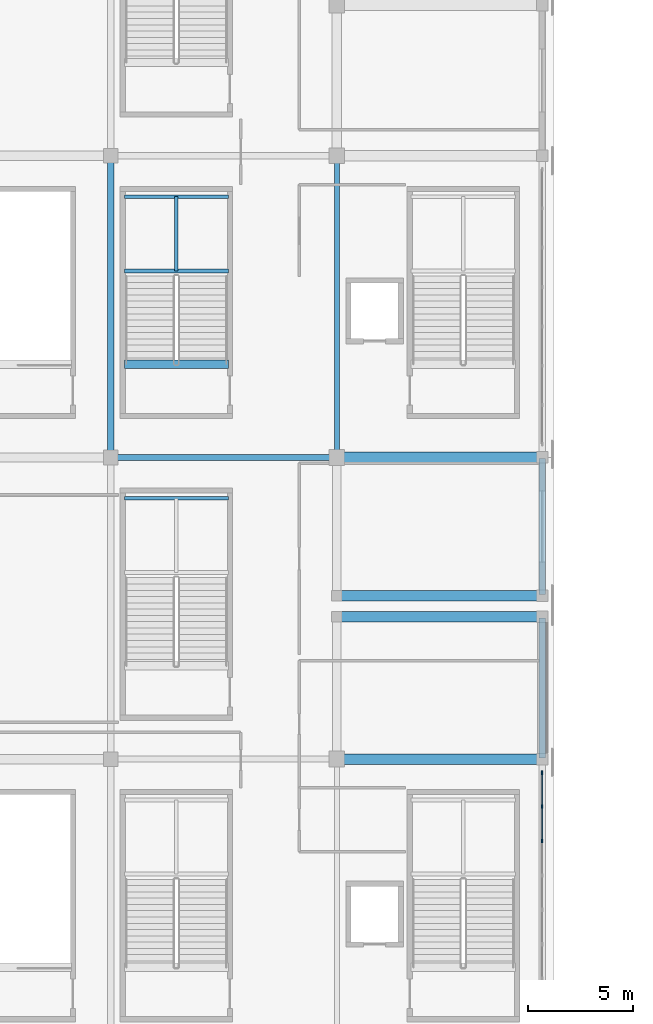
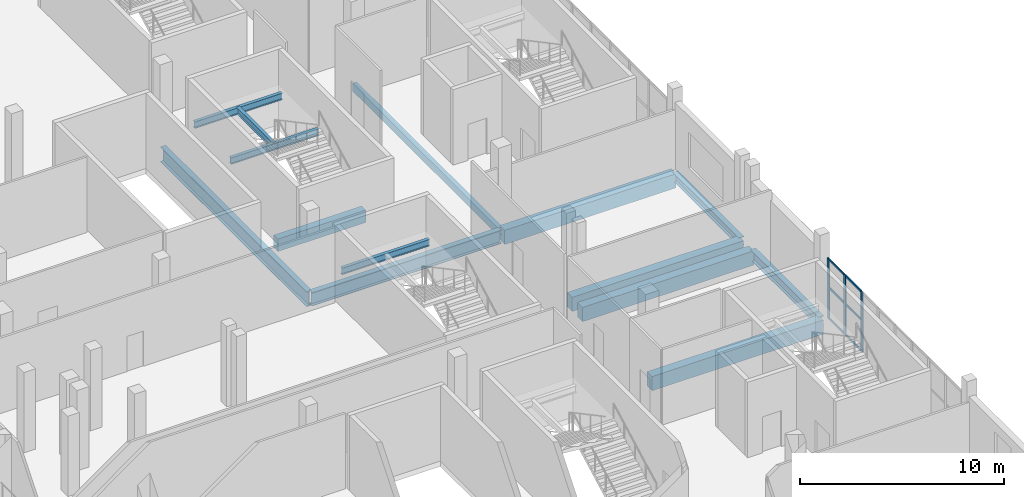
# One storey, part 42 of 129: 14 beams, 9 members, 1 element without a shape of its own.
"""IFC4 building model written with IfcOpenShell, lengths in metres."""

import ifcopenshell
import ifcopenshell.guid

model = None  # the IFC model being written
_history = None  # IfcOwnerHistory: only IFC2X3 demands one
_inside = {}  # id of a spatial element -> (the spatial element, [elements in it])
_under = {}  # id of a project, library or spatial element -> (it, [spatial elements below it])
_declared = {}  # id of a project -> (the project, [libraries it declares])
_typed = {}  # id of a type object -> (the type object, [elements of that type])
_made_of = {}  # id of a material, layer set ... -> (it, [elements and type objects made of it])


def new_model(schema):
    """Start an empty IFC model of exactly this schema.

    Asked for "IFC4X3", IfcOpenShell would pick the latest addendum, in which some entities
    have other attributes; the version numbers below select the first issue.
    IFC2X3 requires an IfcOwnerHistory on every rooted entity: one is made here for all.
    """
    global model, _history
    if schema == "IFC4X3":
        model = ifcopenshell.file(schema_version=(4, 3, 0, 0))
    else:
        model = ifcopenshell.file(schema=schema)
    _inside.clear()
    _under.clear()
    _declared.clear()
    _typed.clear()
    _made_of.clear()
    _history = None
    if model.schema == "IFC2X3":
        org = make("IfcOrganization", Name="unknown")
        user = make(
            "IfcPersonAndOrganization",
            ThePerson=make("IfcPerson", FamilyName="unknown"),
            TheOrganization=org,
        )
        app = make(
            "IfcApplication",
            ApplicationDeveloper=org,
            Version="unknown",
            ApplicationFullName="unknown",
            ApplicationIdentifier="unknown",
        )
        _history = make(
            "IfcOwnerHistory",
            OwningUser=user,
            OwningApplication=app,
            ChangeAction="ADDED",
            CreationDate=0,
        )
    return model


def make(cls, **values):
    """One entity of the class cls with the attributes given. An attribute that is None is left unset."""
    return model.create_entity(
        cls, **{name: value for name, value in values.items() if value is not None}
    )


def rooted(cls, **values):
    """An entity with a GlobalId (a new one), such as an element, a storey or a relation."""
    return make(cls, GlobalId=ifcopenshell.guid.new(), OwnerHistory=_history, **values)


def si_unit(unit_type, name, prefix=None):
    """IfcSIUnit, for example si_unit("LENGTHUNIT", "METRE", prefix="MILLI")."""
    return make("IfcSIUnit", UnitType=unit_type, Prefix=prefix, Name=name)


def assignment(units):
    """IfcUnitAssignment: the units of a project."""
    return None if units is None else make("IfcUnitAssignment", Units=units)


def point(xyz):
    """IfcCartesianPoint."""
    return None if xyz is None else make("IfcCartesianPoint", Coordinates=xyz)


def direction(xyz):
    """IfcDirection."""
    return None if xyz is None else make("IfcDirection", DirectionRatios=xyz)


def frame(location, z_axis=None, x_axis=None):
    """IfcAxis2Placement3D, a coordinate frame: its origin and axes. An axis left out is left unset."""
    return make(
        "IfcAxis2Placement3D",
        Location=point(location),
        Axis=direction(z_axis),
        RefDirection=direction(x_axis),
    )


def frame_2d(location, x_axis=None):
    """IfcAxis2Placement2D, a coordinate frame in the plane: its origin and x axis."""
    return make(
        "IfcAxis2Placement2D", Location=point(location), RefDirection=direction(x_axis)
    )


def origin():
    """The frame at (0, 0, 0) with its axes left unset."""
    return frame((0.0, 0.0, 0.0))


def origin_2d():
    """The frame at (0, 0) in the plane with its x axis left unset."""
    return frame_2d((0.0, 0.0))


def place(relative_to, where):
    """IfcLocalPlacement: puts the frame where relative to a parent placement (None: the world)."""
    return make(
        "IfcLocalPlacement", PlacementRelTo=relative_to, RelativePlacement=where
    )


def context(
    kind, dimensions, precision=None, world=None, true_north=None, identifier=None
):
    """IfcGeometricRepresentationContext, for example the 3D "Model" context."""
    return make(
        "IfcGeometricRepresentationContext",
        ContextIdentifier=identifier,
        ContextType=kind,
        CoordinateSpaceDimension=dimensions,
        Precision=precision,
        WorldCoordinateSystem=world,
        TrueNorth=true_north,
    )


def subcontext(parent, identifier, kind, view, scale=None):
    """IfcGeometricRepresentationSubContext, for example "Body" below "Model"."""
    return make(
        "IfcGeometricRepresentationSubContext",
        ContextIdentifier=identifier,
        ContextType=kind,
        ParentContext=parent,
        TargetScale=scale,
        TargetView=view,
    )


def project(units=None, contexts=None):
    """IfcProject with its units and contexts."""
    return rooted(
        "IfcProject",
        Name="project",
        RepresentationContexts=contexts,
        UnitsInContext=assignment(units),
    )


def spatial(cls, under=None, at=None, **own):
    """A site, building, storey or space (cls), placed at a placement, below another one or the project."""
    s = rooted(cls, ObjectPlacement=at, **own)
    if under is not None:
        _under.setdefault(under.id(), (under, []))[1].append(s)
    return s


def profile(cls, at=None, kind="AREA", **sizes):
    """A parametric profile (cls). Its sizes go by their IFC names, for example OverallWidth=200.0."""
    return make(cls, ProfileType=kind, Position=at, **sizes)


def rectangle(**sizes):
    """IfcRectangleProfileDef."""
    return profile("IfcRectangleProfileDef", **sizes)


def hollow_rectangle(**sizes):
    """IfcRectangleHollowProfileDef."""
    return profile("IfcRectangleHollowProfileDef", **sizes)


def i_section(**sizes):
    """IfcIShapeProfileDef."""
    return profile("IfcIShapeProfileDef", **sizes)


def extrude(swept, where, along, depth):
    """IfcExtrudedAreaSolid: the profile swept, set in the frame where, extruded along a direction by depth."""
    return make(
        "IfcExtrudedAreaSolid",
        SweptArea=swept,
        Position=where,
        ExtrudedDirection=direction(along),
        Depth=depth,
    )


def shape(context_of_items, identifier, shape_type, items):
    """IfcShapeRepresentation: the items that make up one representation, for example the "Body"."""
    return make(
        "IfcShapeRepresentation",
        ContextOfItems=context_of_items,
        RepresentationIdentifier=identifier,
        RepresentationType=shape_type,
        Items=items,
    )


def material(Name=None, Category=None):
    """IfcMaterial."""
    return make("IfcMaterial", Name=Name, Category=Category)


def material_profile(
    of_material, cross_section, Name=None, Category=None, Priority=None
):
    """IfcMaterialProfile: a cross section and its material."""
    return make(
        "IfcMaterialProfile",
        Name=Name,
        Material=of_material,
        Profile=cross_section,
        Priority=Priority,
        Category=Category,
    )


def profile_set(profiles, Name=None, composite=None):
    """IfcMaterialProfileSet."""
    return make(
        "IfcMaterialProfileSet",
        Name=Name,
        MaterialProfiles=profiles,
        CompositeProfile=composite,
    )


def made_of(thing, what):
    """Note that an element or type object is made of a material, layer set ...; save() writes the relation."""
    if what is not None:
        _made_of.setdefault(what.id(), (what, []))[1].append(thing)
    return thing


def type_object(cls, material=None, **own):
    """A type object (cls), such as IfcWallType, which elements share."""
    return made_of(rooted(cls, **own), material)


def element(
    cls,
    number,
    at=None,
    inside=None,
    cuts=None,
    type_object=None,
    material=None,
    context=None,
    identifier="Body",
    shape_type=None,
    held_by="IfcProductDefinitionShape",
    body=None,
    shapes=None,
    **own,
):
    """One element of the class cls, such as IfcWall. Its Tag is "e" and its number.

    at: its placement. inside: the storey or other place that contains it. cuts: it is an
    opening in that element (IfcRelVoidsElement). A single representation is given by context,
    identifier, shape_type and body (its items); several are given by shapes. held_by: the class
    of the entity that holds the representations. save() writes the other relations.
    """
    e = rooted(cls, Tag="e%d" % number, ObjectPlacement=at, **own)
    if body is not None:
        shapes = [shape(context, identifier, shape_type, body)]
    if shapes is not None:
        e.Representation = make(held_by, Representations=shapes)
    if inside is not None:
        _inside.setdefault(inside.id(), (inside, []))[1].append(e)
    if cuts is not None:
        rooted(
            "IfcRelVoidsElement", RelatingBuildingElement=cuts, RelatedOpeningElement=e
        )
    if type_object is not None:
        _typed.setdefault(type_object.id(), (type_object, []))[1].append(e)
    return made_of(e, material)


def aggregate(whole, parts):
    """IfcRelAggregates: a whole, such as a stair, and the parts it consists of."""
    return rooted("IfcRelAggregates", RelatingObject=whole, RelatedObjects=parts)


def save(model, path):
    """Write the relations noted so far, then the file.

    IfcRelAggregates (storeys below a building ...), IfcRelContainedInSpatialStructure (elements
    in a storey), IfcRelDefinesByType, IfcRelAssociatesMaterial and IfcRelDeclares: one each for
    every whole, place, type object, material and project.
    """
    for whole, parts in _under.values():
        aggregate(whole, parts)
    for where, things in _inside.values():
        rooted(
            "IfcRelContainedInSpatialStructure",
            RelatedElements=things,
            RelatingStructure=where,
        )
    for kind, things in _typed.values():
        rooted("IfcRelDefinesByType", RelatedObjects=things, RelatingType=kind)
    for what, things in _made_of.values():
        rooted("IfcRelAssociatesMaterial", RelatedObjects=things, RelatingMaterial=what)
    for by, libraries in _declared.values():
        rooted("IfcRelDeclares", RelatingContext=by, RelatedDefinitions=libraries)
    model.write(path)


model = new_model("IFC4")

# Units and contexts
model_context = context("Model", 3, precision=1e-05, world=origin(), true_north=direction((0.0, 1.0)))
body_context = subcontext(model_context, "Body", "Model", "MODEL_VIEW")
ifc_project = project(units=[si_unit("LENGTHUNIT", "METRE"), si_unit("AREAUNIT", "SQUARE_METRE"), si_unit("VOLUMEUNIT", "CUBIC_METRE"), si_unit("PLANEANGLEUNIT", "RADIAN"), si_unit("MASSUNIT", "GRAM", prefix="KILO")], contexts=[model_context])

# Site, building, storey
site_placement = place(None, origin())
site = spatial("IfcSite", under=ifc_project, at=site_placement, CompositionType="ELEMENT")
building_placement = place(site_placement, origin())
building = spatial("IfcBuilding", under=site, at=building_placement, Name="Koshinbarg Plaza Stadium", CompositionType="ELEMENT")
storey_placement = place(building_placement, frame((0.0, 0.0, 5.39990234375)))
storey = spatial("IfcBuildingStorey", under=building, at=storey_placement, Name="L01", CompositionType="ELEMENT", Elevation=5.39990234375)

# Beams
ifc_material_1 = material(Name="Concrete C40/50", Category="concrete")
ifc_material_profile_1 = material_profile(ifc_material_1, rectangle(XDim=0.39990234375, YDim=0.75, at=origin_2d()), Name="RC 400x750")
ifc_profile_set_1 = profile_set([ifc_material_profile_1], Name="Concrete C40/50")
beam_type_1 = type_object("IfcBeamType", Name="BM-RCG-03", PredefinedType="USERDEFINED", material=ifc_profile_set_1)
beam_1_placement = place(storey_placement, frame((198.449951171875, 87.56005859375, -0.375), z_axis=(1.0, 0.0, 0.0), x_axis=(0.0, 1.0, 0.0)))
element("IfcBeam", 1, at=beam_1_placement, inside=storey, type_object=beam_type_1, Name="L01 stair landing header beam VX11", ObjectType="GIRDER", PredefinedType="USERDEFINED", context=body_context, shape_type="SweptSolid", body=[
    extrude(rectangle(XDim=0.39990234375, YDim=0.75, at=origin_2d()), origin(), (0.0, 0.0, 1.0), 4.969970703125),
])
ifc_material_profile_2 = material_profile(ifc_material_1, rectangle(XDim=0.5, YDim=0.85009765625, at=origin_2d()), Name="RC 500x850")
ifc_profile_set_2 = profile_set([ifc_material_profile_2], Name="Concrete C40/50")
beam_type_2 = type_object("IfcBeamType", Name="BM-RCG-05", PredefinedType="USERDEFINED", material=ifc_profile_set_2)
for number, where, z_axis, x_axis, name in (
    (2, (208.659912109375, 68.699951171875, -0.744873046875), (1.0, 0.0, 0.0), (0.0, 1.0, 0.0), "L01 X girder J/20-21"),
    (3, (208.659912109375, 75.5, -0.744873046875), (1.0, 0.0, 0.0), (0.0, 1.0, 0.0), "L01 X girder K/20-21"),
    (4, (208.659912109375, 76.5, -0.744873046875), (1.0, 0.0, 0.0), (0.0, 1.0, 0.0), "L01 X girder L/20-21"),
    (5, (208.659912109375, 83.10009765625, -0.744873046875), (1.0, 0.0, 0.0), (0.0, 1.0, 0.0), "L01 X girder M/20-21"),
):
    element("IfcBeam", number, at=place(storey_placement, frame(where, z_axis=z_axis, x_axis=x_axis)), inside=storey, type_object=beam_type_2, Name=name, ObjectType="GIRDER", PredefinedType="USERDEFINED", context=body_context, shape_type="SweptSolid", body=[
        extrude(rectangle(XDim=0.5, YDim=0.85009765625, at=origin_2d()), origin(), (0.0, 0.0, 1.0), 9.68017578125),
    ])
ifc_material_2 = material(Name="Steel S355", Category="steel")
ifc_material_profile_3 = material_profile(ifc_material_2, i_section(OverallWidth=0.179931640625, OverallDepth=0.39990234375, WebThickness=0.008544921875, FlangeThickness=0.013427734375, at=origin_2d()), Name="IPE 400")
ifc_profile_set_3 = profile_set([ifc_material_profile_3], Name="Steel S355")
beam_type_3 = type_object("IfcBeamType", Name="BM-SBM-01", PredefinedType="BEAM", material=ifc_profile_set_3)
for number, where, z_axis, x_axis, name in (
    (6, (198.449951171875, 81.14990234375, 1.880126953125), (1.0, 0.0, 0.0), (0.0, 1.0, 0.0), "L01 Upper Vomitory Stair VX10 landing trimmer beam 2"),
    (7, (198.449951171875, 92.010009765625, 1.880126953125), (1.0, 0.0, 0.0), (0.0, 1.0, 0.0), "L01 Upper Vomitory Stair VX11 landing trimmer beam 1"),
    (8, (198.449951171875, 95.550048828125, 1.880126953125), (1.0, 0.0, 0.0), (0.0, 1.0, 0.0), "L01 Upper Vomitory Stair VX11 landing trimmer beam 2"),
):
    element("IfcBeam", number, at=place(storey_placement, frame(where, z_axis=z_axis, x_axis=x_axis)), inside=storey, type_object=beam_type_3, Name=name, PredefinedType="BEAM", context=body_context, shape_type="SweptSolid", body=[
        extrude(i_section(OverallWidth=0.179931640625, OverallDepth=0.39990234375, WebThickness=0.008544921875, FlangeThickness=0.013427734375, at=origin_2d()), origin(), (0.0, 0.0, 1.0), 4.969970703125),
    ])
beam_2_placement = place(storey_placement, frame((200.93505859375, 92.010009765625, 1.880126953125), z_axis=(0.0, 1.0, 0.0), x_axis=(-1.0, 0.0, 0.0)))
element("IfcBeam", 9, at=beam_2_placement, inside=storey, type_object=beam_type_3, Name="L01 Upper Vomitory Stair VX11 landing trimmer beam 3", PredefinedType="BEAM", context=body_context, shape_type="SweptSolid", body=[
    extrude(i_section(OverallWidth=0.179931640625, OverallDepth=0.39990234375, WebThickness=0.008544921875, FlangeThickness=0.013427734375, at=origin_2d()), origin(), (0.0, 0.0, 1.0), 3.5400390625),
])
ifc_material_profile_4 = material_profile(ifc_material_2, i_section(OverallWidth=0.300048828125, OverallDepth=0.5, WebThickness=0.014404296875, FlangeThickness=0.028076171875, at=origin_2d()), Name="HEB 500")
ifc_profile_set_4 = profile_set([ifc_material_profile_4], Name="Steel S355")
beam_type_4 = type_object("IfcBeamType", Name="BM-SGIR-01", PredefinedType="USERDEFINED", material=ifc_profile_set_4)
beam_3_placement = place(storey_placement, frame((218.39990234375, 76.56005859375, -0.56982421875), z_axis=(0.0, 1.0, 0.0), x_axis=(-1.0, 0.0, 0.0)))
element("IfcBeam", 10, at=beam_3_placement, inside=storey, type_object=beam_type_4, Name="L01 Y girder 21/L-M", ObjectType="GIRDER", PredefinedType="USERDEFINED", context=body_context, shape_type="SweptSolid", body=[
    extrude(i_section(OverallWidth=0.300048828125, OverallDepth=0.5, WebThickness=0.014404296875, FlangeThickness=0.028076171875, at=origin_2d()), origin(), (0.0, 0.0, 1.0), 6.47998046875),
])
ifc_material_profile_5 = material_profile(ifc_material_2, i_section(OverallWidth=0.300048828125, OverallDepth=0.60009765625, WebThickness=0.015380859375, FlangeThickness=0.030029296875, at=origin_2d()), Name="HEB 600")
ifc_profile_set_5 = profile_set([ifc_material_profile_5], Name="Steel S355")
beam_type_5 = type_object("IfcBeamType", Name="BM-SGIR-02", PredefinedType="USERDEFINED", material=ifc_profile_set_5)
beam_4_placement = place(storey_placement, frame((218.39990234375, 68.760009765625, -0.619873046875), z_axis=(0.0, 1.0, 0.0), x_axis=(-1.0, 0.0, 0.0)))
element("IfcBeam", 11, at=beam_4_placement, inside=storey, type_object=beam_type_5, Name="L01 Y girder 21/J-K", ObjectType="GIRDER", PredefinedType="USERDEFINED", context=body_context, shape_type="SweptSolid", body=[
    extrude(i_section(OverallWidth=0.300048828125, OverallDepth=0.60009765625, WebThickness=0.015380859375, FlangeThickness=0.030029296875, at=origin_2d()), origin(), (0.0, 0.0, 1.0), 6.679931640625),
])
ifc_material_profile_6 = material_profile(ifc_material_2, i_section(OverallWidth=0.300048828125, OverallDepth=0.800048828125, WebThickness=0.017578125, FlangeThickness=0.032958984375, at=origin_2d()), Name="HEB 800")
ifc_profile_set_6 = profile_set([ifc_material_profile_6], Name="Steel S355")
beam_type_6 = type_object("IfcBeamType", Name="BM-SGIR-04", PredefinedType="USERDEFINED", material=ifc_profile_set_6)
beam_5_placement = place(storey_placement, frame((197.860107421875, 83.10009765625, -0.719970703125), z_axis=(1.0, 0.0, 0.0), x_axis=(0.0, 1.0, 0.0)))
element("IfcBeam", 12, at=beam_5_placement, inside=storey, type_object=beam_type_6, Name="L01 X girder M/19-20", ObjectType="GIRDER", PredefinedType="USERDEFINED", context=body_context, shape_type="SweptSolid", body=[
    extrude(i_section(OverallWidth=0.300048828125, OverallDepth=0.800048828125, WebThickness=0.017578125, FlangeThickness=0.032958984375, at=origin_2d()), origin(), (0.0, 0.0, 1.0), 10.679931640625),
])
ifc_material_profile_7 = material_profile(ifc_material_2, i_section(OverallWidth=0.300048828125, OverallDepth=0.89990234375, WebThickness=0.0185546875, FlangeThickness=0.034912109375, at=origin_2d()), Name="HEB 900")
ifc_profile_set_7 = profile_set([ifc_material_profile_7], Name="Steel S355")
beam_type_7 = type_object("IfcBeamType", Name="BM-SGIR-05", PredefinedType="USERDEFINED", material=ifc_profile_set_7)
beam_6_placement = place(storey_placement, frame((197.800048828125, 83.159912109375, -0.77001953125), z_axis=(0.0, 1.0, 0.0), x_axis=(-1.0, 0.0, 0.0)))
element("IfcBeam", 13, at=beam_6_placement, inside=storey, type_object=beam_type_7, Name="L01 Y girder 19/M-N", ObjectType="GIRDER", PredefinedType="USERDEFINED", context=body_context, shape_type="SweptSolid", body=[
    extrude(i_section(OverallWidth=0.300048828125, OverallDepth=0.89990234375, WebThickness=0.0185546875, FlangeThickness=0.034912109375, at=origin_2d()), origin(), (0.0, 0.0, 1.0), 14.280029296875),
])
ifc_material_profile_8 = material_profile(ifc_material_2, hollow_rectangle(XDim=0.25, YDim=0.449951171875, WallThickness=0.01611328125, at=origin_2d()), Name="RHS 450x250x16")
ifc_profile_set_8 = profile_set([ifc_material_profile_8], Name="Steel S355")
beam_type_8 = type_object("IfcBeamType", Name="BM-SGIR-06", PredefinedType="USERDEFINED", material=ifc_profile_set_8)
beam_7_placement = place(storey_placement, frame((208.60009765625, 83.159912109375, -0.544921875), z_axis=(0.0, 1.0, 0.0), x_axis=(-1.0, 0.0, 0.0)))
element("IfcBeam", 14, at=beam_7_placement, inside=storey, type_object=beam_type_8, Name="L01 Y girder 20/M-N", ObjectType="GIRDER", PredefinedType="USERDEFINED", context=body_context, shape_type="SweptSolid", body=[
    extrude(hollow_rectangle(XDim=0.25, YDim=0.449951171875, WallThickness=0.01611328125, at=origin_2d()), origin(), (0.0, 0.0, 1.0), 14.280029296875),
])

# Curtain wall, members
ifc_material_3 = material(Name="Thermally broken anodised aluminium and low-E double glazing", Category="aluminium")
curtain_wall_type = type_object("IfcCurtainWallType", Name="CW-SYS-07", PredefinedType="NOTDEFINED", material=ifc_material_3)
curtain_wall_placement = place(storey_placement, origin())
curtain_wall = element("IfcCurtainWall", 15, at=curtain_wall_placement, inside=storey, type_object=curtain_wall_type, Name="L01 unitised curtain wall CW-L01-022", PredefinedType="NOTDEFINED")
ifc_material_4 = material(Name="Anodised aluminium mullion", Category="aluminium")
ifc_material_profile_9 = material_profile(ifc_material_4, rectangle(XDim=0.070068359375, YDim=0.179931640625, at=origin_2d()), Name="ALU 70x180")
ifc_profile_set_9 = profile_set([ifc_material_profile_9], Name="Anodised aluminium mullion")
member_type_1 = type_object("IfcMemberType", Name="CW-MUL-03", PredefinedType="MULLION", material=ifc_profile_set_9)
member_1_placement = place(storey_placement, frame((218.39990234375, 68.050048828125, 0.0), z_axis=(0.0, 0.0, 1.0), x_axis=(1.0, 0.0, 0.0)))
member_1 = element("IfcMember", 16, at=member_1_placement, type_object=member_type_1, Name="CW07 mullion 1", PredefinedType="MULLION", context=body_context, shape_type="SweptSolid", body=[
    extrude(rectangle(XDim=0.070068359375, YDim=0.179931640625, at=origin_2d()), origin(), (0.0, 0.0, 1.0), 3.580078125),
])
member_2_placement = place(storey_placement, frame((218.39990234375, 66.43505859375, 0.0), z_axis=(0.0, 0.0, 1.0), x_axis=(1.0, 0.0, 0.0)))
member_2 = element("IfcMember", 17, at=member_2_placement, type_object=member_type_1, Name="CW07 mullion 2", PredefinedType="MULLION", context=body_context, shape_type="SweptSolid", body=[
    extrude(rectangle(XDim=0.070068359375, YDim=0.179931640625, at=origin_2d()), origin(), (0.0, 0.0, 1.0), 3.580078125),
])
member_3_placement = place(storey_placement, frame((218.39990234375, 64.7900390625, 0.0), z_axis=(0.0, 0.0, 1.0), x_axis=(1.0, 0.0, 0.0)))
member_3 = element("IfcMember", 18, at=member_3_placement, type_object=member_type_1, Name="CW07 mullion 3", PredefinedType="MULLION", context=body_context, shape_type="SweptSolid", body=[
    extrude(rectangle(XDim=0.070068359375, YDim=0.179931640625, at=origin_2d()), origin(), (0.0, 0.0, 1.0), 3.580078125),
])
ifc_material_5 = material(Name="Anodised aluminium transom", Category="aluminium")
ifc_material_profile_10 = material_profile(ifc_material_5, rectangle(XDim=0.06005859375, YDim=0.110107421875, at=origin_2d()), Name="ALU 60x110")
ifc_profile_set_10 = profile_set([ifc_material_profile_10], Name="Anodised aluminium transom")
member_type_2 = type_object("IfcMemberType", Name="CW-TRN-01", PredefinedType="USERDEFINED", material=ifc_profile_set_10)
member_4_placement = place(storey_placement, frame((218.39990234375, 68.02001953125, 0.030029296875), z_axis=(0.0, -1.0, 0.0), x_axis=(1.0, 0.0, 0.0)))
member_4 = element("IfcMember", 19, at=member_4_placement, type_object=member_type_2, Name="CW07 transom 1.1", ObjectType="TRANSOM", PredefinedType="USERDEFINED", context=body_context, shape_type="SweptSolid", body=[
    extrude(rectangle(XDim=0.06005859375, YDim=0.110107421875, at=origin_2d()), origin(), (0.0, 0.0, 1.0), 1.554931640625),
])
member_5_placement = place(storey_placement, frame((218.39990234375, 68.02001953125, 1.86181640625), z_axis=(0.0, -1.0, 0.0), x_axis=(1.0, 0.0, 0.0)))
member_5 = element("IfcMember", 20, at=member_5_placement, type_object=member_type_2, Name="CW07 transom 1.2", ObjectType="TRANSOM", PredefinedType="USERDEFINED", context=body_context, shape_type="SweptSolid", body=[
    extrude(rectangle(XDim=0.06005859375, YDim=0.110107421875, at=origin_2d()), origin(), (0.0, 0.0, 1.0), 1.554931640625),
])
member_6_placement = place(storey_placement, frame((218.39990234375, 68.02001953125, 3.550048828125), z_axis=(0.0, -1.0, 0.0), x_axis=(1.0, 0.0, 0.0)))
member_6 = element("IfcMember", 21, at=member_6_placement, type_object=member_type_2, Name="CW07 transom 1.3", ObjectType="TRANSOM", PredefinedType="USERDEFINED", context=body_context, shape_type="SweptSolid", body=[
    extrude(rectangle(XDim=0.06005859375, YDim=0.110107421875, at=origin_2d()), origin(), (0.0, 0.0, 1.0), 1.554931640625),
])
member_7_placement = place(storey_placement, frame((218.39990234375, 66.405029296875, 0.030029296875), z_axis=(0.0, -1.0, 0.0), x_axis=(1.0, 0.0, 0.0)))
member_7 = element("IfcMember", 22, at=member_7_placement, type_object=member_type_2, Name="CW07 transom 2.1", ObjectType="TRANSOM", PredefinedType="USERDEFINED", context=body_context, shape_type="SweptSolid", body=[
    extrude(rectangle(XDim=0.06005859375, YDim=0.110107421875, at=origin_2d()), origin(), (0.0, 0.0, 1.0), 1.5849609375),
])
member_8_placement = place(storey_placement, frame((218.39990234375, 66.405029296875, 1.86181640625), z_axis=(0.0, -1.0, 0.0), x_axis=(1.0, 0.0, 0.0)))
member_8 = element("IfcMember", 23, at=member_8_placement, type_object=member_type_2, Name="CW07 transom 2.2", ObjectType="TRANSOM", PredefinedType="USERDEFINED", context=body_context, shape_type="SweptSolid", body=[
    extrude(rectangle(XDim=0.06005859375, YDim=0.110107421875, at=origin_2d()), origin(), (0.0, 0.0, 1.0), 1.5849609375),
])
member_9_placement = place(storey_placement, frame((218.39990234375, 66.405029296875, 3.550048828125), z_axis=(0.0, -1.0, 0.0), x_axis=(1.0, 0.0, 0.0)))
member_9 = element("IfcMember", 24, at=member_9_placement, type_object=member_type_2, Name="CW07 transom 2.3", ObjectType="TRANSOM", PredefinedType="USERDEFINED", context=body_context, shape_type="SweptSolid", body=[
    extrude(rectangle(XDim=0.06005859375, YDim=0.110107421875, at=origin_2d()), origin(), (0.0, 0.0, 1.0), 1.5849609375),
])
aggregate(curtain_wall, [member_1, member_2, member_3, member_4, member_5, member_6, member_7, member_8, member_9])

save(model, "model.ifc")
